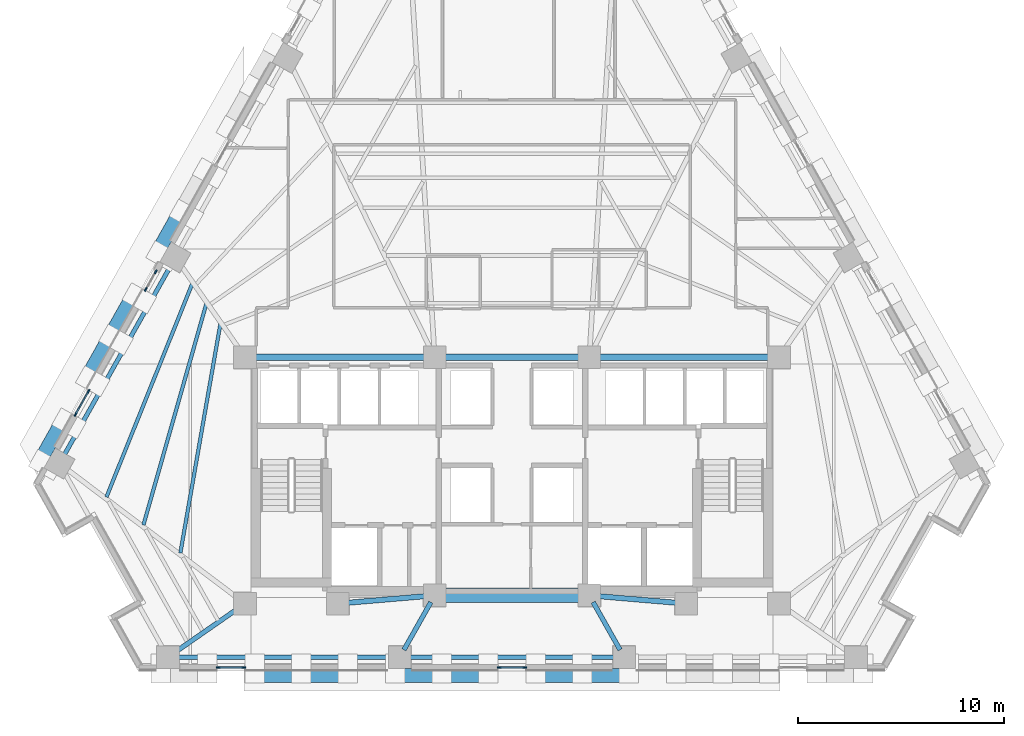
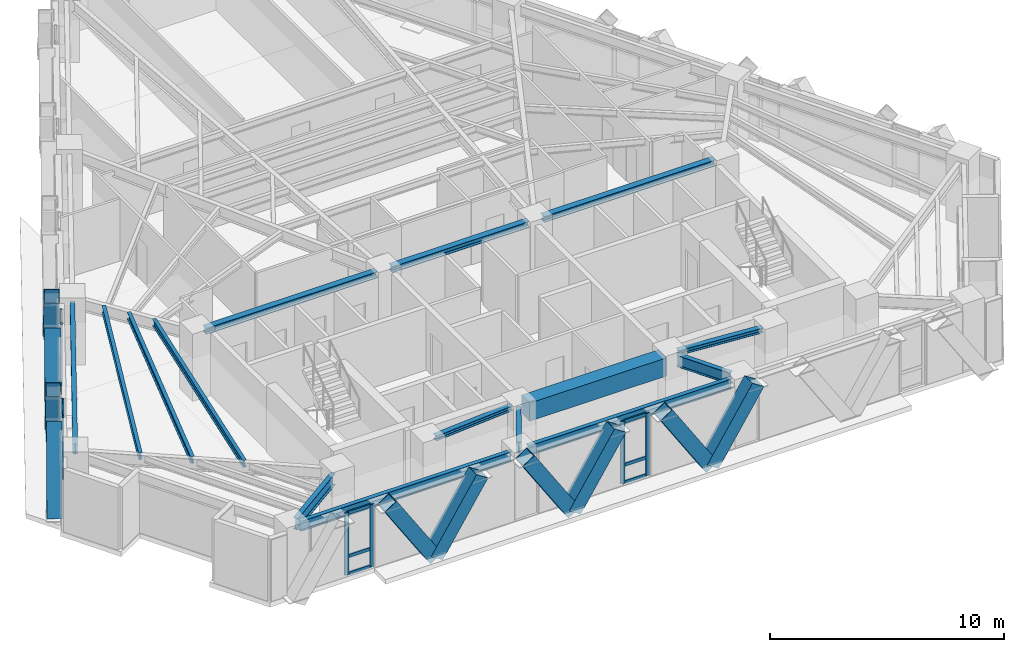
# One storey, part 2 of 13: 27 members, 15 beams, 4 elements without a shape of their own.
"""IFC4 building model written with IfcOpenShell, lengths in metres."""

import ifcopenshell
import ifcopenshell.guid

model = None  # the IFC model being written
_history = None  # IfcOwnerHistory: only IFC2X3 demands one
_inside = {}  # id of a spatial element -> (the spatial element, [elements in it])
_under = {}  # id of a project, library or spatial element -> (it, [spatial elements below it])
_declared = {}  # id of a project -> (the project, [libraries it declares])
_typed = {}  # id of a type object -> (the type object, [elements of that type])
_made_of = {}  # id of a material, layer set ... -> (it, [elements and type objects made of it])


def new_model(schema):
    """Start an empty IFC model of exactly this schema.

    Asked for "IFC4X3", IfcOpenShell would pick the latest addendum, in which some entities
    have other attributes; the version numbers below select the first issue.
    IFC2X3 requires an IfcOwnerHistory on every rooted entity: one is made here for all.
    """
    global model, _history
    if schema == "IFC4X3":
        model = ifcopenshell.file(schema_version=(4, 3, 0, 0))
    else:
        model = ifcopenshell.file(schema=schema)
    _inside.clear()
    _under.clear()
    _declared.clear()
    _typed.clear()
    _made_of.clear()
    _history = None
    if model.schema == "IFC2X3":
        org = make("IfcOrganization", Name="unknown")
        user = make(
            "IfcPersonAndOrganization",
            ThePerson=make("IfcPerson", FamilyName="unknown"),
            TheOrganization=org,
        )
        app = make(
            "IfcApplication",
            ApplicationDeveloper=org,
            Version="unknown",
            ApplicationFullName="unknown",
            ApplicationIdentifier="unknown",
        )
        _history = make(
            "IfcOwnerHistory",
            OwningUser=user,
            OwningApplication=app,
            ChangeAction="ADDED",
            CreationDate=0,
        )
    return model


def make(cls, **values):
    """One entity of the class cls with the attributes given. An attribute that is None is left unset."""
    return model.create_entity(
        cls, **{name: value for name, value in values.items() if value is not None}
    )


def rooted(cls, **values):
    """An entity with a GlobalId (a new one), such as an element, a storey or a relation."""
    return make(cls, GlobalId=ifcopenshell.guid.new(), OwnerHistory=_history, **values)


def si_unit(unit_type, name, prefix=None):
    """IfcSIUnit, for example si_unit("LENGTHUNIT", "METRE", prefix="MILLI")."""
    return make("IfcSIUnit", UnitType=unit_type, Prefix=prefix, Name=name)


def assignment(units):
    """IfcUnitAssignment: the units of a project."""
    return None if units is None else make("IfcUnitAssignment", Units=units)


def point(xyz):
    """IfcCartesianPoint."""
    return None if xyz is None else make("IfcCartesianPoint", Coordinates=xyz)


def direction(xyz):
    """IfcDirection."""
    return None if xyz is None else make("IfcDirection", DirectionRatios=xyz)


def frame(location, z_axis=None, x_axis=None):
    """IfcAxis2Placement3D, a coordinate frame: its origin and axes. An axis left out is left unset."""
    return make(
        "IfcAxis2Placement3D",
        Location=point(location),
        Axis=direction(z_axis),
        RefDirection=direction(x_axis),
    )


def frame_2d(location, x_axis=None):
    """IfcAxis2Placement2D, a coordinate frame in the plane: its origin and x axis."""
    return make(
        "IfcAxis2Placement2D", Location=point(location), RefDirection=direction(x_axis)
    )


def origin():
    """The frame at (0, 0, 0) with its axes left unset."""
    return frame((0.0, 0.0, 0.0))


def origin_2d():
    """The frame at (0, 0) in the plane with its x axis left unset."""
    return frame_2d((0.0, 0.0))


def place(relative_to, where):
    """IfcLocalPlacement: puts the frame where relative to a parent placement (None: the world)."""
    return make(
        "IfcLocalPlacement", PlacementRelTo=relative_to, RelativePlacement=where
    )


def context(
    kind, dimensions, precision=None, world=None, true_north=None, identifier=None
):
    """IfcGeometricRepresentationContext, for example the 3D "Model" context."""
    return make(
        "IfcGeometricRepresentationContext",
        ContextIdentifier=identifier,
        ContextType=kind,
        CoordinateSpaceDimension=dimensions,
        Precision=precision,
        WorldCoordinateSystem=world,
        TrueNorth=true_north,
    )


def subcontext(parent, identifier, kind, view, scale=None):
    """IfcGeometricRepresentationSubContext, for example "Body" below "Model"."""
    return make(
        "IfcGeometricRepresentationSubContext",
        ContextIdentifier=identifier,
        ContextType=kind,
        ParentContext=parent,
        TargetScale=scale,
        TargetView=view,
    )


def project(units=None, contexts=None):
    """IfcProject with its units and contexts."""
    return rooted(
        "IfcProject",
        Name="project",
        RepresentationContexts=contexts,
        UnitsInContext=assignment(units),
    )


def spatial(cls, under=None, at=None, **own):
    """A site, building, storey or space (cls), placed at a placement, below another one or the project."""
    s = rooted(cls, ObjectPlacement=at, **own)
    if under is not None:
        _under.setdefault(under.id(), (under, []))[1].append(s)
    return s


def profile(cls, at=None, kind="AREA", **sizes):
    """A parametric profile (cls). Its sizes go by their IFC names, for example OverallWidth=200.0."""
    return make(cls, ProfileType=kind, Position=at, **sizes)


def rectangle(**sizes):
    """IfcRectangleProfileDef."""
    return profile("IfcRectangleProfileDef", **sizes)


def hollow_rectangle(**sizes):
    """IfcRectangleHollowProfileDef."""
    return profile("IfcRectangleHollowProfileDef", **sizes)


def i_section(**sizes):
    """IfcIShapeProfileDef."""
    return profile("IfcIShapeProfileDef", **sizes)


def extrude(swept, where, along, depth):
    """IfcExtrudedAreaSolid: the profile swept, set in the frame where, extruded along a direction by depth."""
    return make(
        "IfcExtrudedAreaSolid",
        SweptArea=swept,
        Position=where,
        ExtrudedDirection=direction(along),
        Depth=depth,
    )


def shape(context_of_items, identifier, shape_type, items):
    """IfcShapeRepresentation: the items that make up one representation, for example the "Body"."""
    return make(
        "IfcShapeRepresentation",
        ContextOfItems=context_of_items,
        RepresentationIdentifier=identifier,
        RepresentationType=shape_type,
        Items=items,
    )


def material(Name=None, Category=None):
    """IfcMaterial."""
    return make("IfcMaterial", Name=Name, Category=Category)


def material_profile(
    of_material, cross_section, Name=None, Category=None, Priority=None
):
    """IfcMaterialProfile: a cross section and its material."""
    return make(
        "IfcMaterialProfile",
        Name=Name,
        Material=of_material,
        Profile=cross_section,
        Priority=Priority,
        Category=Category,
    )


def profile_set(profiles, Name=None, composite=None):
    """IfcMaterialProfileSet."""
    return make(
        "IfcMaterialProfileSet",
        Name=Name,
        MaterialProfiles=profiles,
        CompositeProfile=composite,
    )


def made_of(thing, what):
    """Note that an element or type object is made of a material, layer set ...; save() writes the relation."""
    if what is not None:
        _made_of.setdefault(what.id(), (what, []))[1].append(thing)
    return thing


def type_object(cls, material=None, **own):
    """A type object (cls), such as IfcWallType, which elements share."""
    return made_of(rooted(cls, **own), material)


def element(
    cls,
    number,
    at=None,
    inside=None,
    cuts=None,
    type_object=None,
    material=None,
    context=None,
    identifier="Body",
    shape_type=None,
    held_by="IfcProductDefinitionShape",
    body=None,
    shapes=None,
    **own,
):
    """One element of the class cls, such as IfcWall. Its Tag is "e" and its number.

    at: its placement. inside: the storey or other place that contains it. cuts: it is an
    opening in that element (IfcRelVoidsElement). A single representation is given by context,
    identifier, shape_type and body (its items); several are given by shapes. held_by: the class
    of the entity that holds the representations. save() writes the other relations.
    """
    e = rooted(cls, Tag="e%d" % number, ObjectPlacement=at, **own)
    if body is not None:
        shapes = [shape(context, identifier, shape_type, body)]
    if shapes is not None:
        e.Representation = make(held_by, Representations=shapes)
    if inside is not None:
        _inside.setdefault(inside.id(), (inside, []))[1].append(e)
    if cuts is not None:
        rooted(
            "IfcRelVoidsElement", RelatingBuildingElement=cuts, RelatedOpeningElement=e
        )
    if type_object is not None:
        _typed.setdefault(type_object.id(), (type_object, []))[1].append(e)
    return made_of(e, material)


def aggregate(whole, parts):
    """IfcRelAggregates: a whole, such as a stair, and the parts it consists of."""
    return rooted("IfcRelAggregates", RelatingObject=whole, RelatedObjects=parts)


def save(model, path):
    """Write the relations noted so far, then the file.

    IfcRelAggregates (storeys below a building ...), IfcRelContainedInSpatialStructure (elements
    in a storey), IfcRelDefinesByType, IfcRelAssociatesMaterial and IfcRelDeclares: one each for
    every whole, place, type object, material and project.
    """
    for whole, parts in _under.values():
        aggregate(whole, parts)
    for where, things in _inside.values():
        rooted(
            "IfcRelContainedInSpatialStructure",
            RelatedElements=things,
            RelatingStructure=where,
        )
    for kind, things in _typed.values():
        rooted("IfcRelDefinesByType", RelatedObjects=things, RelatingType=kind)
    for what, things in _made_of.values():
        rooted("IfcRelAssociatesMaterial", RelatedObjects=things, RelatingMaterial=what)
    for by, libraries in _declared.values():
        rooted("IfcRelDeclares", RelatingContext=by, RelatedDefinitions=libraries)
    model.write(path)


model = new_model("IFC4")

# Units and contexts
model_context = context("Model", 3, precision=1e-05, world=origin(), true_north=direction((0.0, 1.0)))
body_context = subcontext(model_context, "Body", "Model", "MODEL_VIEW")
ifc_project = project(units=[si_unit("LENGTHUNIT", "METRE"), si_unit("AREAUNIT", "SQUARE_METRE"), si_unit("VOLUMEUNIT", "CUBIC_METRE"), si_unit("PLANEANGLEUNIT", "RADIAN"), si_unit("MASSUNIT", "GRAM", prefix="KILO")], contexts=[model_context])

# Site, building, storey
site_placement = place(None, origin())
site = spatial("IfcSite", under=ifc_project, at=site_placement, CompositionType="ELEMENT")
building_placement = place(site_placement, origin())
building = spatial("IfcBuilding", under=site, at=building_placement, Name="Quenlor Broadcast Tower", CompositionType="ELEMENT")
storey_placement = place(building_placement, frame((0.0, 0.0, 76.60009765625)))
storey = spatial("IfcBuildingStorey", under=building, at=storey_placement, Name="L20", CompositionType="ELEMENT", Elevation=76.60009765625)

# Curtain wall, members
ifc_material_1 = material(Name="Architectural Terracotta and Low-E Glazing", Category="masonry")
curtain_wall_type = type_object("IfcCurtainWallType", Name="Unitised Terracotta Curtain Wall System Z2", PredefinedType="NOTDEFINED", material=ifc_material_1)
curtain_wall_1_placement = place(storey_placement, origin())
curtain_wall_1 = element("IfcCurtainWall", 1, at=curtain_wall_1_placement, inside=storey, type_object=curtain_wall_type, Name="L20 Curtain Wall CW2 (L20-SC-G1)", PredefinedType="NOTDEFINED")
ifc_material_2 = material(Name="Aluminium 6063-T6", Category="aluminium")
ifc_material_profile_1 = material_profile(ifc_material_2, rectangle(XDim=0.074951171875, YDim=0.199951171875, at=origin_2d()))
ifc_profile_set_1 = profile_set([ifc_material_profile_1], Name="Aluminium 6063-T6 MULL75x200")
member_type_1 = type_object("IfcMemberType", Name="CW2 Aluminium Mullion MULL_CW2", PredefinedType="MULLION", material=ifc_profile_set_1)
member_1_placement = place(storey_placement, frame((-13.01611328125, -19.840087890625, 0.0), z_axis=(0.0, 0.0, 1.0), x_axis=(0.0, -1.0, 0.0)))
member_1 = element("IfcMember", 2, at=member_1_placement, type_object=member_type_1, Name="CW2 mullion 1", PredefinedType="MULLION", context=body_context, shape_type="SweptSolid", body=[
    extrude(rectangle(XDim=0.074951171875, YDim=0.199951171875, at=origin_2d()), origin(), (0.0, 0.0, 1.0), 3.25),
])
member_2_placement = place(storey_placement, frame((-14.254150390625, -19.840087890625, 0.0), z_axis=(0.0, 0.0, 1.0), x_axis=(0.0, -1.0, 0.0)))
member_2 = element("IfcMember", 3, at=member_2_placement, type_object=member_type_1, Name="CW2 mullion 2", PredefinedType="MULLION", context=body_context, shape_type="SweptSolid", body=[
    extrude(rectangle(XDim=0.074951171875, YDim=0.199951171875, at=origin_2d()), origin(), (0.0, 0.0, 1.0), 3.25),
])

curtain_wall_2_placement = place(storey_placement, origin())
curtain_wall_2 = element("IfcCurtainWall", 4, at=curtain_wall_2_placement, inside=storey, type_object=curtain_wall_type, Name="L20 Curtain Wall CW2 (L20-S-G1)", PredefinedType="NOTDEFINED")
member_3_placement = place(storey_placement, frame((0.618896484375, -19.840087890625, 0.0), z_axis=(0.0, 0.0, 1.0), x_axis=(0.0, -1.0, 0.0)))
member_3 = element("IfcMember", 5, at=member_3_placement, type_object=member_type_1, Name="CW2 mullion 1", PredefinedType="MULLION", context=body_context, shape_type="SweptSolid", body=[
    extrude(rectangle(XDim=0.074951171875, YDim=0.199951171875, at=origin_2d()), origin(), (0.0, 0.0, 1.0), 3.25),
])
member_4_placement = place(storey_placement, frame((-0.618896484375, -19.840087890625, 0.0), z_axis=(0.0, 0.0, 1.0), x_axis=(0.0, -1.0, 0.0)))
member_4 = element("IfcMember", 6, at=member_4_placement, type_object=member_type_1, Name="CW2 mullion 2", PredefinedType="MULLION", context=body_context, shape_type="SweptSolid", body=[
    extrude(rectangle(XDim=0.074951171875, YDim=0.199951171875, at=origin_2d()), origin(), (0.0, 0.0, 1.0), 3.25),
])

curtain_wall_3_placement = place(storey_placement, origin())
curtain_wall_3 = element("IfcCurtainWall", 7, at=curtain_wall_3_placement, inside=storey, type_object=curtain_wall_type, Name="L20 Curtain Wall CW2 (L20-NWA-G1)", PredefinedType="NOTDEFINED")
member_5_placement = place(storey_placement, frame((-21.177734375, -7.57568359375, 0.0), z_axis=(0.0, 0.0, 1.0), x_axis=(-0.871565749621, 0.490278639232, 0.0)))
member_5 = element("IfcMember", 8, at=member_5_placement, type_object=member_type_1, Name="CW2 mullion 1", PredefinedType="MULLION", context=body_context, shape_type="SweptSolid", body=[
    extrude(rectangle(XDim=0.074951171875, YDim=0.199951171875, at=origin_2d()), origin(), (0.0, 0.0, 1.0), 3.25),
])
member_6_placement = place(storey_placement, frame((-20.545654296875, -6.451904296875, 0.0), z_axis=(0.0, 0.0, 1.0), x_axis=(-0.871565749621, 0.490278639232, 0.0)))
member_6 = element("IfcMember", 9, at=member_6_placement, type_object=member_type_1, Name="CW2 mullion 2", PredefinedType="MULLION", context=body_context, shape_type="SweptSolid", body=[
    extrude(rectangle(XDim=0.074951171875, YDim=0.199951171875, at=origin_2d()), origin(), (0.0, 0.0, 1.0), 3.25),
])

curtain_wall_4_placement = place(storey_placement, origin())
curtain_wall_4 = element("IfcCurtainWall", 10, at=curtain_wall_4_placement, inside=storey, type_object=curtain_wall_type, Name="L20 Curtain Wall CW2 (L20-NWA-G2)", PredefinedType="NOTDEFINED")
member_7_placement = place(storey_placement, frame((-17.7646484375, -1.508056640625, 0.0), z_axis=(0.0, 0.0, 1.0), x_axis=(-0.871580587336, 0.490252261371, 0.0)))
member_7 = element("IfcMember", 11, at=member_7_placement, type_object=member_type_1, Name="CW2 mullion 1", PredefinedType="MULLION", context=body_context, shape_type="SweptSolid", body=[
    extrude(rectangle(XDim=0.074951171875, YDim=0.199951171875, at=origin_2d()), origin(), (0.0, 0.0, 1.0), 3.25),
])
member_8_placement = place(storey_placement, frame((-17.282958984375, -0.651611328125, 0.0), z_axis=(0.0, 0.0, 1.0), x_axis=(-0.871580587336, 0.490252261371, 0.0)))
member_8 = element("IfcMember", 12, at=member_8_placement, type_object=member_type_1, Name="CW2 mullion 2", PredefinedType="MULLION", context=body_context, shape_type="SweptSolid", body=[
    extrude(rectangle(XDim=0.074951171875, YDim=0.199951171875, at=origin_2d()), origin(), (0.0, 0.0, 1.0), 3.25),
])
aggregate(curtain_wall_4, [member_7, member_8])

# Member
ifc_material_3 = material(Name="Aluminium 6063-T6", Category="aluminium")
ifc_material_profile_2 = material_profile(ifc_material_3, rectangle(XDim=0.074951171875, YDim=0.1650390625, at=origin_2d()))
ifc_profile_set_2 = profile_set([ifc_material_profile_2], Name="Aluminium 6063-T6 TRAN75x165")
member_type_2 = type_object("IfcMemberType", Name="CW2 Aluminium Transom TRAN_CW2", PredefinedType="USERDEFINED", material=ifc_profile_set_2)
member_9_placement = place(storey_placement, frame((-13.0537109375, -19.840087890625, 0.037353515625), z_axis=(-1.0, 0.0, 0.0), x_axis=(0.0, -1.0, 0.0)))
member_9 = element("IfcMember", 13, at=member_9_placement, type_object=member_type_2, Name="CW2 transom 1.1", ObjectType="TRANSOM", PredefinedType="USERDEFINED", context=body_context, shape_type="SweptSolid", body=[
    extrude(rectangle(XDim=0.074951171875, YDim=0.1650390625, at=origin_2d()), origin(), (0.0, 0.0, 1.0), 1.1630859375),
])

member_10_placement = place(storey_placement, frame((-13.0537109375, -19.840087890625, 0.949951171875), z_axis=(-1.0, 0.0, 0.0), x_axis=(0.0, -1.0, 0.0)))
member_10 = element("IfcMember", 14, at=member_10_placement, type_object=member_type_2, Name="CW2 transom 1.2", ObjectType="TRANSOM", PredefinedType="USERDEFINED", context=body_context, shape_type="SweptSolid", body=[
    extrude(rectangle(XDim=0.074951171875, YDim=0.1650390625, at=origin_2d()), origin(), (0.0, 0.0, 1.0), 1.1630859375),
])

member_11_placement = place(storey_placement, frame((-13.0537109375, -19.840087890625, 3.21240234375), z_axis=(-1.0, 0.0, 0.0), x_axis=(0.0, -1.0, 0.0)))
member_11 = element("IfcMember", 15, at=member_11_placement, type_object=member_type_2, Name="CW2 transom 1.3", ObjectType="TRANSOM", PredefinedType="USERDEFINED", context=body_context, shape_type="SweptSolid", body=[
    extrude(rectangle(XDim=0.074951171875, YDim=0.1650390625, at=origin_2d()), origin(), (0.0, 0.0, 1.0), 1.1630859375),
])

aggregate(curtain_wall_1, [member_1, member_2, member_9, member_10, member_11])

member_12_placement = place(storey_placement, frame((0.58154296875, -19.840087890625, 0.037353515625), z_axis=(-1.0, 0.0, 0.0), x_axis=(0.0, -1.0, 0.0)))
member_12 = element("IfcMember", 16, at=member_12_placement, type_object=member_type_2, Name="CW2 transom 1.1", ObjectType="TRANSOM", PredefinedType="USERDEFINED", context=body_context, shape_type="SweptSolid", body=[
    extrude(rectangle(XDim=0.074951171875, YDim=0.1650390625, at=origin_2d()), origin(), (0.0, 0.0, 1.0), 1.1630859375),
])

member_13_placement = place(storey_placement, frame((0.58154296875, -19.840087890625, 0.949951171875), z_axis=(-1.0, 0.0, 0.0), x_axis=(0.0, -1.0, 0.0)))
member_13 = element("IfcMember", 17, at=member_13_placement, type_object=member_type_2, Name="CW2 transom 1.2", ObjectType="TRANSOM", PredefinedType="USERDEFINED", context=body_context, shape_type="SweptSolid", body=[
    extrude(rectangle(XDim=0.074951171875, YDim=0.1650390625, at=origin_2d()), origin(), (0.0, 0.0, 1.0), 1.1630859375),
])

member_14_placement = place(storey_placement, frame((0.58154296875, -19.840087890625, 3.21240234375), z_axis=(-1.0, 0.0, 0.0), x_axis=(0.0, -1.0, 0.0)))
member_14 = element("IfcMember", 18, at=member_14_placement, type_object=member_type_2, Name="CW2 transom 1.3", ObjectType="TRANSOM", PredefinedType="USERDEFINED", context=body_context, shape_type="SweptSolid", body=[
    extrude(rectangle(XDim=0.074951171875, YDim=0.1650390625, at=origin_2d()), origin(), (0.0, 0.0, 1.0), 1.1630859375),
])

aggregate(curtain_wall_2, [member_3, member_4, member_12, member_13, member_14])

member_15_placement = place(storey_placement, frame((-21.159423828125, -7.54296875, 0.037353515625), z_axis=(0.490347143438, 0.871527210661, 0.0), x_axis=(-0.871527210661, 0.490347143438, 0.0)))
member_15 = element("IfcMember", 19, at=member_15_placement, type_object=member_type_2, Name="CW2 transom 1.1", ObjectType="TRANSOM", PredefinedType="USERDEFINED", context=body_context, shape_type="SweptSolid", body=[
    extrude(rectangle(XDim=0.074951171875, YDim=0.1650390625, at=origin_2d()), origin(), (0.0, 0.0, 1.0), 1.21435546875),
])

member_16_placement = place(storey_placement, frame((-21.159423828125, -7.54296875, 0.949951171875), z_axis=(0.490347143438, 0.871527210661, 0.0), x_axis=(-0.871527210661, 0.490347143438, 0.0)))
member_16 = element("IfcMember", 20, at=member_16_placement, type_object=member_type_2, Name="CW2 transom 1.2", ObjectType="TRANSOM", PredefinedType="USERDEFINED", context=body_context, shape_type="SweptSolid", body=[
    extrude(rectangle(XDim=0.074951171875, YDim=0.1650390625, at=origin_2d()), origin(), (0.0, 0.0, 1.0), 1.21435546875),
])

member_17_placement = place(storey_placement, frame((-21.159423828125, -7.54296875, 3.21240234375), z_axis=(0.490347143438, 0.871527210661, 0.0), x_axis=(-0.871527210661, 0.490347143438, 0.0)))
member_17 = element("IfcMember", 21, at=member_17_placement, type_object=member_type_2, Name="CW2 transom 1.3", ObjectType="TRANSOM", PredefinedType="USERDEFINED", context=body_context, shape_type="SweptSolid", body=[
    extrude(rectangle(XDim=0.074951171875, YDim=0.1650390625, at=origin_2d()), origin(), (0.0, 0.0, 1.0), 1.21435546875),
])

aggregate(curtain_wall_3, [member_5, member_6, member_15, member_16, member_17])

# Beams
ifc_material_4 = material(Name="Concrete C50/60", Category="concrete")
ifc_material_profile_3 = material_profile(ifc_material_4, rectangle(XDim=0.699951171875, YDim=0.949951171875, at=origin_2d()))
ifc_profile_set_3 = profile_set([ifc_material_profile_3], Name="Concrete C50/60 RCB700x950")
beam_type_1 = type_object("IfcBeamType", Name="Core Coupling Beam Concrete C50/60 700x950", PredefinedType="BEAM", material=ifc_profile_set_3)
beam_1_placement = place(storey_placement, frame((-3.389892578125, -16.35009765625, 2.77490234375), z_axis=(1.0, 0.0, 0.0), x_axis=(0.0, 1.0, 0.0)))
element("IfcBeam", 22, at=beam_1_placement, inside=storey, type_object=beam_type_1, Name="L20 Core Coupling Beam 6", PredefinedType="BEAM", context=body_context, shape_type="SweptSolid", body=[
    extrude(rectangle(XDim=0.699951171875, YDim=0.949951171875, at=origin_2d()), origin(), (0.0, 0.0, 1.0), 6.77978515625),
])
ifc_material_5 = material(Name="Steel S355", Category="steel")
ifc_material_profile_4 = material_profile(ifc_material_5, i_section(OverallWidth=0.304931640625, OverallDepth=0.30810546875, WebThickness=0.010009765625, FlangeThickness=0.015380859375, FilletRadius=0.0166015625, at=origin_2d()))
ifc_profile_set_4 = profile_set([ifc_material_profile_4], Name="Steel S355 310UC96.8")
beam_type_2 = type_object("IfcBeamType", Name="Core Header Beam Steel S355 310UC96.8", PredefinedType="BEAM", material=ifc_profile_set_4)
beam_2_placement = place(storey_placement, frame((-3.389892578125, -4.800048828125, 3.095947265625), z_axis=(1.0, 0.0, 0.0), x_axis=(0.0, 1.0, 0.0)))
element("IfcBeam", 23, at=beam_2_placement, inside=storey, type_object=beam_type_2, Name="L20 Core Header Beam 2", PredefinedType="BEAM", context=body_context, shape_type="SweptSolid", body=[
    extrude(i_section(OverallWidth=0.304931640625, OverallDepth=0.30810546875, WebThickness=0.010009765625, FlangeThickness=0.015380859375, FilletRadius=0.0166015625, at=origin_2d()), origin(), (0.0, 0.0, 1.0), 6.77978515625),
])
ifc_material_6 = material(Name="Steel S355", Category="steel")
ifc_material_profile_5 = material_profile(ifc_material_6, i_section(OverallWidth=0.25390625, OverallDepth=0.25390625, WebThickness=0.008544921875, FlangeThickness=0.01416015625, FilletRadius=0.013916015625, at=origin_2d()))
ifc_profile_set_5 = profile_set([ifc_material_profile_5], Name="Steel S355 250UC72.9")
beam_type_3 = type_object("IfcBeamType", Name="Core Opening Lintel Beam Steel S355 250UC72.9", PredefinedType="LINTEL", material=ifc_profile_set_5)
for number, where, z_axis, x_axis, name in (
    (24, (-8.09130859375, -16.719482421875, 3.123046875), (0.996399763903, 0.084779186679, 0.0), (-0.084779186679, 0.996399763903, 0.0), "L20 Core Opening Lintel Beam 4"),
    (25, (4.108642578125, -16.380615234375, 3.123046875), (0.996399763903, -0.084779186679, 0.0), (0.084779186679, 0.996399763903, 0.0), "L20 Core Opening Lintel Beam 5"),
):
    element("IfcBeam", number, at=place(storey_placement, frame(where, z_axis=z_axis, x_axis=x_axis)), inside=storey, type_object=beam_type_3, Name=name, PredefinedType="LINTEL", context=body_context, shape_type="SweptSolid", body=[
        extrude(i_section(OverallWidth=0.25390625, OverallDepth=0.25390625, WebThickness=0.008544921875, FlangeThickness=0.01416015625, FilletRadius=0.013916015625, at=origin_2d()), origin(), (0.0, 0.0, 1.0), 3.9970703125),
    ])
ifc_material_7 = material(Name="Steel S355", Category="steel")
ifc_material_profile_6 = material_profile(ifc_material_7, i_section(OverallWidth=0.306884765625, OverallDepth=0.314697265625, WebThickness=0.011962890625, FlangeThickness=0.018798828125, FilletRadius=0.0166015625, at=origin_2d()))
ifc_profile_set_6 = profile_set([ifc_material_profile_6], Name="Steel S355 310UC118")
beam_type_4 = type_object("IfcBeamType", Name="Core Tie Beam Steel S355 310UC118", PredefinedType="BEAM", material=ifc_profile_set_6)
for number, where, z_axis, x_axis, name in (
    (26, (-12.590087890625, -4.800048828125, 3.092529296875), (1.0, 0.0, 0.0), (0.0, 1.0, 0.0), "L20 Core Tie Beam 1"),
    (27, (4.110107421875, -4.800048828125, 3.092529296875), (1.0, 0.0, 0.0), (0.0, 1.0, 0.0), "L20 Core Tie Beam 3"),
):
    element("IfcBeam", number, at=place(storey_placement, frame(where, z_axis=z_axis, x_axis=x_axis)), inside=storey, type_object=beam_type_4, Name=name, PredefinedType="BEAM", context=body_context, shape_type="SweptSolid", body=[
        extrude(i_section(OverallWidth=0.306884765625, OverallDepth=0.314697265625, WebThickness=0.011962890625, FlangeThickness=0.018798828125, FilletRadius=0.0166015625, at=origin_2d()), origin(), (0.0, 0.0, 1.0), 8.47998046875),
    ])

# Members
ifc_material_8 = material(Name="Steel S355", Category="steel")
ifc_material_profile_7 = material_profile(ifc_material_8, hollow_rectangle(XDim=0.679931640625, YDim=0.679931640625, WallThickness=0.030029296875, at=origin_2d()))
ifc_profile_set_7 = profile_set([ifc_material_profile_7], Name="Steel S355 RHS680x680x30")
member_type_3 = type_object("IfcMemberType", Name="Perimeter Diagonal Lattice Brace Z2 Steel S355 RHS680x30", PredefinedType="BRACE", material=ifc_profile_set_7)
for number, where, z_axis, x_axis, name in (
    (28, (3.42236328125, -20.235107421875, -0.1201171875), (0.539968035679, 0.0, 0.841685523485), (0.0, 1.0, 0.0), "L20 Perimeter Diamond Lattice S-C2B"),
    (29, (3.395263671875, -20.235107421875, -0.1201171875), (-0.539968035679, 0.0, 0.841685523485), (0.0, -1.0, 0.0), "L20 Perimeter Diamond Lattice S-C3S"),
    (30, (-3.395263671875, -20.235107421875, -0.1201171875), (0.539968035679, 0.0, 0.841685523485), (0.0, 1.0, 0.0), "L20 Perimeter Diamond Lattice S-C3B"),
    (31, (-3.42236328125, -20.235107421875, -0.1201171875), (-0.539968035679, 0.0, 0.841685523485), (0.0, -1.0, 0.0), "L20 Perimeter Diamond Lattice S-C4S"),
    (32, (-10.212890625, -20.235107421875, -0.1201171875), (0.539968035679, 0.0, 0.841685523485), (0.0, 1.0, 0.0), "L20 Perimeter Diamond Lattice S-C4B"),
    (33, (-10.239990234375, -20.235107421875, -0.1201171875), (-0.539968035679, 0.0, 0.841685523485), (0.0, -1.0, 0.0), "L20 Perimeter Diamond Lattice S-C5S"),
):
    element("IfcMember", number, at=place(storey_placement, frame(where, z_axis=z_axis, x_axis=x_axis)), inside=storey, type_object=member_type_3, Name=name, PredefinedType="BRACE", context=body_context, shape_type="SweptSolid", body=[
        extrude(hollow_rectangle(XDim=0.679931640625, YDim=0.679931640625, WallThickness=0.030029296875, at=origin_2d()), origin(), (0.0, 0.0, 1.0), 4.158203125),
    ])
for number, where, z_axis, x_axis, name in (
    (34, (-22.90576171875, -9.841796875, -0.1201171875), (0.268696511206, 0.477585438485, 0.836489290913), (-0.871532878923, 0.490337068716, 0.0), "L20 Perimeter Diamond Lattice NW-C1S"),
    (35, (-19.506103515625, -3.79833984375, -0.1201171875), (-0.268696511206, -0.477585438485, 0.836489290913), (0.871532878923, -0.490337068716, 0.0), "L20 Perimeter Diamond Lattice NW-C1B"),
    (36, (-19.49267578125, -3.774169921875, -0.1201171875), (0.268696511206, 0.477585438485, 0.836489290913), (-0.871532878923, 0.490337068716, 0.0), "L20 Perimeter Diamond Lattice NW-C2S"),
    (37, (-16.093017578125, 2.269287109375, -0.1201171875), (-0.268696511206, -0.477585438485, 0.836489290913), (0.871532878923, -0.490337068716, 0.0), "L20 Perimeter Diamond Lattice NW-C2B"),
):
    element("IfcMember", number, at=place(storey_placement, frame(where, z_axis=z_axis, x_axis=x_axis)), inside=storey, type_object=member_type_3, Name=name, PredefinedType="BRACE", context=body_context, shape_type="SweptSolid", body=[
        extrude(hollow_rectangle(XDim=0.679931640625, YDim=0.679931640625, WallThickness=0.030029296875, at=origin_2d()), origin(), (0.0, 0.0, 1.0), 4.18408203125),
    ])

# Beams
ifc_material_9 = material(Name="Steel S355", Category="steel")
ifc_material_profile_8 = material_profile(ifc_material_9, i_section(OverallWidth=0.208984375, OverallDepth=0.5283203125, WebThickness=0.009521484375, FlangeThickness=0.01318359375, FilletRadius=0.013916015625, at=origin_2d()))
ifc_profile_set_8 = profile_set([ifc_material_profile_8], Name="Steel S355 530UB82.0")
beam_type_5 = type_object("IfcBeamType", Name="Perimeter Spandrel Beam Z2 Steel S355 530UB82.0", PredefinedType="SPANDREL", material=ifc_profile_set_8)
beam_3_placement = place(storey_placement, frame((-16.282470703125, -19.35009765625, 2.98583984375), z_axis=(1.0, 0.0, 0.0), x_axis=(0.0, 1.0, 0.0)))
element("IfcBeam", 38, at=beam_3_placement, inside=storey, type_object=beam_type_5, Name="L20 Spandrel Beam S1-S2", PredefinedType="SPANDREL", context=body_context, shape_type="SweptSolid", body=[
    extrude(i_section(OverallWidth=0.208984375, OverallDepth=0.5283203125, WebThickness=0.009521484375, FlangeThickness=0.01318359375, FilletRadius=0.013916015625, at=origin_2d()), origin(), (0.0, 0.0, 1.0), 10.42919921875),
])
beam_4_placement = place(storey_placement, frame((-5.033203125, -19.35009765625, 2.98583984375), z_axis=(1.0, 0.0, 0.0), x_axis=(0.0, 1.0, 0.0)))
element("IfcBeam", 39, at=beam_4_placement, inside=storey, type_object=beam_type_5, Name="L20 Spandrel Beam S2-S3", PredefinedType="SPANDREL", context=body_context, shape_type="SweptSolid", body=[
    extrude(i_section(OverallWidth=0.208984375, OverallDepth=0.5283203125, WebThickness=0.009521484375, FlangeThickness=0.01318359375, FilletRadius=0.013916015625, at=origin_2d()), origin(), (0.0, 0.0, 1.0), 10.06640625),
])
beam_5_placement = place(storey_placement, frame((-16.531005859375, -0.314453125, 2.98583984375), z_axis=(-0.490263415828, -0.871574313011, 0.0), x_axis=(0.871574313011, -0.490263415828, 0.0)))
element("IfcBeam", 40, at=beam_5_placement, inside=storey, type_object=beam_type_5, Name="L20 Spandrel Beam NW3-NW4", PredefinedType="SPANDREL", context=body_context, shape_type="SweptSolid", body=[
    extrude(i_section(OverallWidth=0.208984375, OverallDepth=0.5283203125, WebThickness=0.009521484375, FlangeThickness=0.01318359375, FilletRadius=0.013916015625, at=origin_2d()), origin(), (0.0, 0.0, 1.0), 10.65283203125),
])
ifc_material_10 = material(Name="Steel S355", Category="steel")
ifc_material_profile_9 = material_profile(ifc_material_10, i_section(OverallWidth=0.172119140625, OverallDepth=0.358642578125, WebThickness=0.008056640625, FlangeThickness=0.012939453125, FilletRadius=0.011474609375, at=origin_2d()))
ifc_profile_set_9 = profile_set([ifc_material_profile_9], Name="Steel S355 360UB56.7")
beam_type_6 = type_object("IfcBeamType", Name="Tower Composite Joist Z2-Z3 Steel S355 360UB56.7", PredefinedType="JOIST", material=ifc_profile_set_9)
beam_6_placement = place(storey_placement, frame((-16.087890625, -14.29345703125, 3.070556640625), z_axis=(0.172120396521, 0.985075920476, 0.0), x_axis=(-0.985075920476, 0.172120396521, 0.0)))
element("IfcBeam", 41, at=beam_6_placement, inside=storey, type_object=beam_type_6, Name="L20 Secondary Composite Joist 13", PredefinedType="JOIST", context=body_context, shape_type="SweptSolid", body=[
    extrude(i_section(OverallWidth=0.172119140625, OverallDepth=0.358642578125, WebThickness=0.008056640625, FlangeThickness=0.012939453125, FilletRadius=0.011474609375, at=origin_2d()), origin(), (0.0, 0.0, 1.0), 11.27783203125),
])
beam_7_placement = place(storey_placement, frame((-17.880615234375, -12.9365234375, 3.070556640625), z_axis=(0.273563993601, 0.96185380459, 0.0), x_axis=(-0.96185380459, 0.273563993601, 0.0)))
element("IfcBeam", 42, at=beam_7_placement, inside=storey, type_object=beam_type_6, Name="L20 Secondary Composite Joist 14", PredefinedType="JOIST", context=body_context, shape_type="SweptSolid", body=[
    extrude(i_section(OverallWidth=0.172119140625, OverallDepth=0.358642578125, WebThickness=0.008056640625, FlangeThickness=0.012939453125, FilletRadius=0.011474609375, at=origin_2d()), origin(), (0.0, 0.0, 1.0), 11.1484375),
])
beam_8_placement = place(storey_placement, frame((-19.673583984375, -11.580810546875, 3.070556640625), z_axis=(0.373180395983, 0.92775880058, 0.0), x_axis=(-0.92775880058, 0.373180395983, 0.0)))
element("IfcBeam", 43, at=beam_8_placement, inside=storey, type_object=beam_type_6, Name="L20 Secondary Composite Joist 15", PredefinedType="JOIST", context=body_context, shape_type="SweptSolid", body=[
    extrude(i_section(OverallWidth=0.172119140625, OverallDepth=0.358642578125, WebThickness=0.008056640625, FlangeThickness=0.012939453125, FilletRadius=0.011474609375, at=origin_2d()), origin(), (0.0, 0.0, 1.0), 11.143798828125),
])
ifc_material_11 = material(Name="Steel S355", Category="steel")
ifc_material_profile_10 = material_profile(ifc_material_11, i_section(OverallWidth=0.22802734375, OverallDepth=0.60205078125, WebThickness=0.010498046875, FlangeThickness=0.014892578125, FilletRadius=0.013916015625, at=origin_2d()))
ifc_profile_set_10 = profile_set([ifc_material_profile_10], Name="Steel S355 610UB101")
beam_type_7 = type_object("IfcBeamType", Name="Tower Primary Floor Beam Z2 Steel S355 610UB101", PredefinedType="BEAM", material=ifc_profile_set_10)
beam_9_placement = place(storey_placement, frame((-16.355712890625, -19.1162109375, 2.948974609375), z_axis=(0.821227395059, 0.570601056436, 0.0), x_axis=(-0.570601056436, 0.821227395059, 0.0)))
element("IfcBeam", 44, at=beam_9_placement, inside=storey, type_object=beam_type_7, Name="L20 Primary Radial Beam S1", PredefinedType="BEAM", context=body_context, shape_type="SweptSolid", body=[
    extrude(i_section(OverallWidth=0.22802734375, OverallDepth=0.60205078125, WebThickness=0.010498046875, FlangeThickness=0.014892578125, FilletRadius=0.013916015625, at=origin_2d()), origin(), (0.0, 0.0, 1.0), 3.766845703125),
])
for number, where, z_axis, x_axis, name in (
    (45, (-5.24169921875, -18.992919921875, 2.948974609375), (0.491526879548, 0.870862403989, 0.0), (-0.870862403989, 0.491526879548, 0.0), "L20 Primary Radial Beam S2"),
    (46, (5.24169921875, -18.992919921875, 2.948974609375), (-0.491526879548, 0.870862403989, 0.0), (-0.870862403989, -0.491526879548, 0.0), "L20 Primary Radial Beam S3"),
):
    element("IfcBeam", number, at=place(storey_placement, frame(where, z_axis=z_axis, x_axis=x_axis)), inside=storey, type_object=beam_type_7, Name=name, PredefinedType="BEAM", context=body_context, shape_type="SweptSolid", body=[
        extrude(i_section(OverallWidth=0.22802734375, OverallDepth=0.60205078125, WebThickness=0.010498046875, FlangeThickness=0.014892578125, FilletRadius=0.013916015625, at=origin_2d()), origin(), (0.0, 0.0, 1.0), 2.65478515625),
    ])

save(model, "model.ifc")
